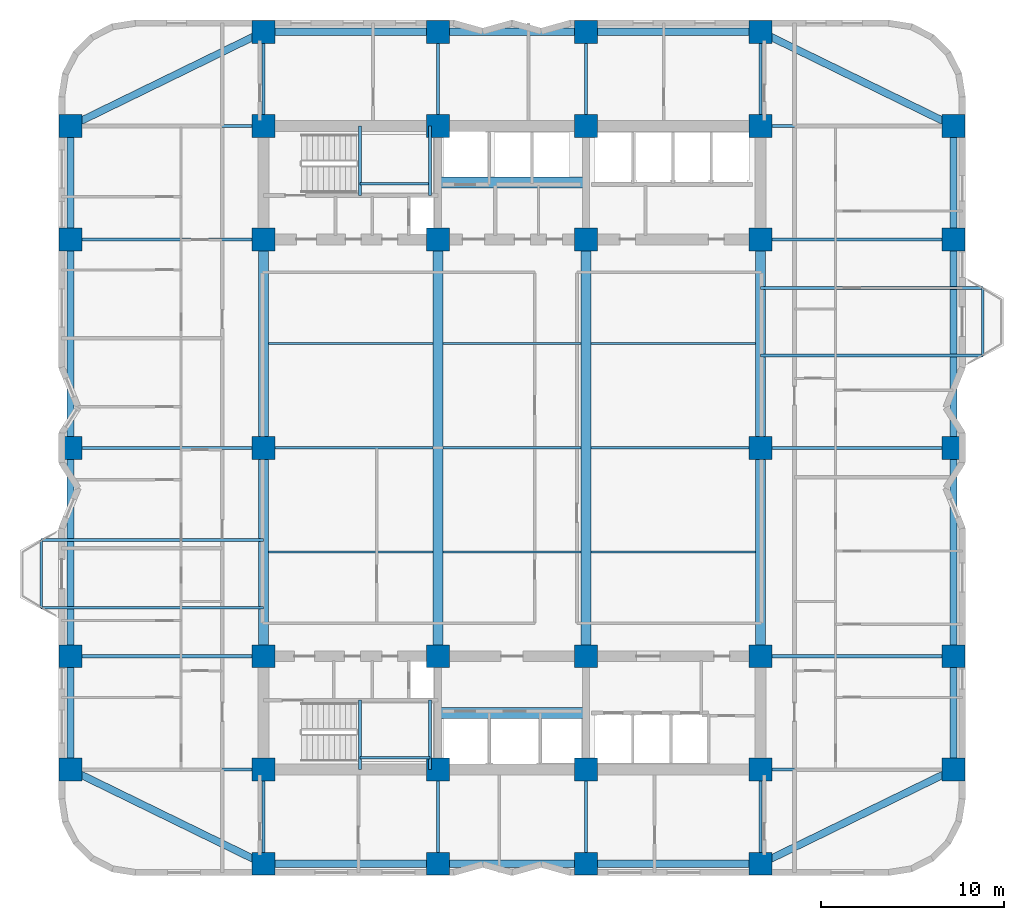
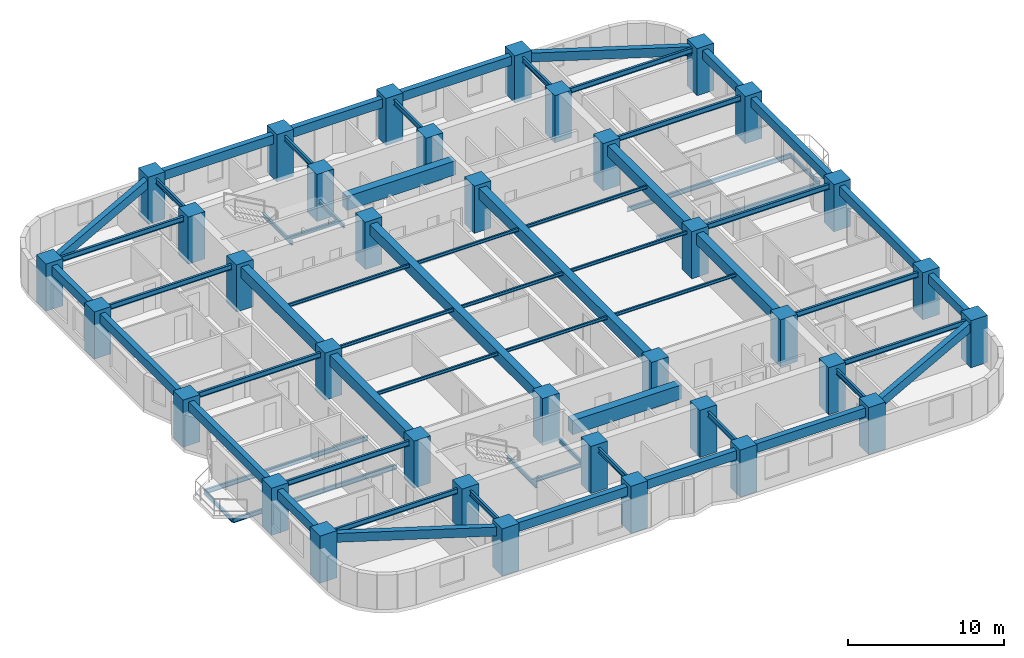
# One storey, part 1 of 10: 65 beams, 36 columns.
"""IFC4 building model written with IfcOpenShell, lengths in metres."""

import ifcopenshell
import ifcopenshell.guid

model = None  # the IFC model being written
_history = None  # IfcOwnerHistory: only IFC2X3 demands one
_inside = {}  # id of a spatial element -> (the spatial element, [elements in it])
_under = {}  # id of a project, library or spatial element -> (it, [spatial elements below it])
_declared = {}  # id of a project -> (the project, [libraries it declares])
_typed = {}  # id of a type object -> (the type object, [elements of that type])
_made_of = {}  # id of a material, layer set ... -> (it, [elements and type objects made of it])


def new_model(schema):
    """Start an empty IFC model of exactly this schema.

    Asked for "IFC4X3", IfcOpenShell would pick the latest addendum, in which some entities
    have other attributes; the version numbers below select the first issue.
    IFC2X3 requires an IfcOwnerHistory on every rooted entity: one is made here for all.
    """
    global model, _history
    if schema == "IFC4X3":
        model = ifcopenshell.file(schema_version=(4, 3, 0, 0))
    else:
        model = ifcopenshell.file(schema=schema)
    _inside.clear()
    _under.clear()
    _declared.clear()
    _typed.clear()
    _made_of.clear()
    _history = None
    if model.schema == "IFC2X3":
        org = make("IfcOrganization", Name="unknown")
        user = make(
            "IfcPersonAndOrganization",
            ThePerson=make("IfcPerson", FamilyName="unknown"),
            TheOrganization=org,
        )
        app = make(
            "IfcApplication",
            ApplicationDeveloper=org,
            Version="unknown",
            ApplicationFullName="unknown",
            ApplicationIdentifier="unknown",
        )
        _history = make(
            "IfcOwnerHistory",
            OwningUser=user,
            OwningApplication=app,
            ChangeAction="ADDED",
            CreationDate=0,
        )
    return model


def make(cls, **values):
    """One entity of the class cls with the attributes given. An attribute that is None is left unset."""
    return model.create_entity(
        cls, **{name: value for name, value in values.items() if value is not None}
    )


def rooted(cls, **values):
    """An entity with a GlobalId (a new one), such as an element, a storey or a relation."""
    return make(cls, GlobalId=ifcopenshell.guid.new(), OwnerHistory=_history, **values)


def si_unit(unit_type, name, prefix=None):
    """IfcSIUnit, for example si_unit("LENGTHUNIT", "METRE", prefix="MILLI")."""
    return make("IfcSIUnit", UnitType=unit_type, Prefix=prefix, Name=name)


def assignment(units):
    """IfcUnitAssignment: the units of a project."""
    return None if units is None else make("IfcUnitAssignment", Units=units)


def point(xyz):
    """IfcCartesianPoint."""
    return None if xyz is None else make("IfcCartesianPoint", Coordinates=xyz)


def direction(xyz):
    """IfcDirection."""
    return None if xyz is None else make("IfcDirection", DirectionRatios=xyz)


def frame(location, z_axis=None, x_axis=None):
    """IfcAxis2Placement3D, a coordinate frame: its origin and axes. An axis left out is left unset."""
    return make(
        "IfcAxis2Placement3D",
        Location=point(location),
        Axis=direction(z_axis),
        RefDirection=direction(x_axis),
    )


def frame_2d(location, x_axis=None):
    """IfcAxis2Placement2D, a coordinate frame in the plane: its origin and x axis."""
    return make(
        "IfcAxis2Placement2D", Location=point(location), RefDirection=direction(x_axis)
    )


def origin():
    """The frame at (0, 0, 0) with its axes left unset."""
    return frame((0.0, 0.0, 0.0))


def origin_2d():
    """The frame at (0, 0) in the plane with its x axis left unset."""
    return frame_2d((0.0, 0.0))


def place(relative_to, where):
    """IfcLocalPlacement: puts the frame where relative to a parent placement (None: the world)."""
    return make(
        "IfcLocalPlacement", PlacementRelTo=relative_to, RelativePlacement=where
    )


def context(
    kind, dimensions, precision=None, world=None, true_north=None, identifier=None
):
    """IfcGeometricRepresentationContext, for example the 3D "Model" context."""
    return make(
        "IfcGeometricRepresentationContext",
        ContextIdentifier=identifier,
        ContextType=kind,
        CoordinateSpaceDimension=dimensions,
        Precision=precision,
        WorldCoordinateSystem=world,
        TrueNorth=true_north,
    )


def subcontext(parent, identifier, kind, view, scale=None):
    """IfcGeometricRepresentationSubContext, for example "Body" below "Model"."""
    return make(
        "IfcGeometricRepresentationSubContext",
        ContextIdentifier=identifier,
        ContextType=kind,
        ParentContext=parent,
        TargetScale=scale,
        TargetView=view,
    )


def project(units=None, contexts=None):
    """IfcProject with its units and contexts."""
    return rooted(
        "IfcProject",
        Name="project",
        RepresentationContexts=contexts,
        UnitsInContext=assignment(units),
    )


def spatial(cls, under=None, at=None, **own):
    """A site, building, storey or space (cls), placed at a placement, below another one or the project."""
    s = rooted(cls, ObjectPlacement=at, **own)
    if under is not None:
        _under.setdefault(under.id(), (under, []))[1].append(s)
    return s


def profile(cls, at=None, kind="AREA", **sizes):
    """A parametric profile (cls). Its sizes go by their IFC names, for example OverallWidth=200.0."""
    return make(cls, ProfileType=kind, Position=at, **sizes)


def rectangle(**sizes):
    """IfcRectangleProfileDef."""
    return profile("IfcRectangleProfileDef", **sizes)


def i_section(**sizes):
    """IfcIShapeProfileDef."""
    return profile("IfcIShapeProfileDef", **sizes)


def extrude(swept, where, along, depth):
    """IfcExtrudedAreaSolid: the profile swept, set in the frame where, extruded along a direction by depth."""
    return make(
        "IfcExtrudedAreaSolid",
        SweptArea=swept,
        Position=where,
        ExtrudedDirection=direction(along),
        Depth=depth,
    )


def shape(context_of_items, identifier, shape_type, items):
    """IfcShapeRepresentation: the items that make up one representation, for example the "Body"."""
    return make(
        "IfcShapeRepresentation",
        ContextOfItems=context_of_items,
        RepresentationIdentifier=identifier,
        RepresentationType=shape_type,
        Items=items,
    )


def material(Name=None, Category=None):
    """IfcMaterial."""
    return make("IfcMaterial", Name=Name, Category=Category)


def material_profile(
    of_material, cross_section, Name=None, Category=None, Priority=None
):
    """IfcMaterialProfile: a cross section and its material."""
    return make(
        "IfcMaterialProfile",
        Name=Name,
        Material=of_material,
        Profile=cross_section,
        Priority=Priority,
        Category=Category,
    )


def profile_set(profiles, Name=None, composite=None):
    """IfcMaterialProfileSet."""
    return make(
        "IfcMaterialProfileSet",
        Name=Name,
        MaterialProfiles=profiles,
        CompositeProfile=composite,
    )


def made_of(thing, what):
    """Note that an element or type object is made of a material, layer set ...; save() writes the relation."""
    if what is not None:
        _made_of.setdefault(what.id(), (what, []))[1].append(thing)
    return thing


def type_object(cls, material=None, **own):
    """A type object (cls), such as IfcWallType, which elements share."""
    return made_of(rooted(cls, **own), material)


def element(
    cls,
    number,
    at=None,
    inside=None,
    cuts=None,
    type_object=None,
    material=None,
    context=None,
    identifier="Body",
    shape_type=None,
    held_by="IfcProductDefinitionShape",
    body=None,
    shapes=None,
    **own,
):
    """One element of the class cls, such as IfcWall. Its Tag is "e" and its number.

    at: its placement. inside: the storey or other place that contains it. cuts: it is an
    opening in that element (IfcRelVoidsElement). A single representation is given by context,
    identifier, shape_type and body (its items); several are given by shapes. held_by: the class
    of the entity that holds the representations. save() writes the other relations.
    """
    e = rooted(cls, Tag="e%d" % number, ObjectPlacement=at, **own)
    if body is not None:
        shapes = [shape(context, identifier, shape_type, body)]
    if shapes is not None:
        e.Representation = make(held_by, Representations=shapes)
    if inside is not None:
        _inside.setdefault(inside.id(), (inside, []))[1].append(e)
    if cuts is not None:
        rooted(
            "IfcRelVoidsElement", RelatingBuildingElement=cuts, RelatedOpeningElement=e
        )
    if type_object is not None:
        _typed.setdefault(type_object.id(), (type_object, []))[1].append(e)
    return made_of(e, material)


def aggregate(whole, parts):
    """IfcRelAggregates: a whole, such as a stair, and the parts it consists of."""
    return rooted("IfcRelAggregates", RelatingObject=whole, RelatedObjects=parts)


def save(model, path):
    """Write the relations noted so far, then the file.

    IfcRelAggregates (storeys below a building ...), IfcRelContainedInSpatialStructure (elements
    in a storey), IfcRelDefinesByType, IfcRelAssociatesMaterial and IfcRelDeclares: one each for
    every whole, place, type object, material and project.
    """
    for whole, parts in _under.values():
        aggregate(whole, parts)
    for where, things in _inside.values():
        rooted(
            "IfcRelContainedInSpatialStructure",
            RelatedElements=things,
            RelatingStructure=where,
        )
    for kind, things in _typed.values():
        rooted("IfcRelDefinesByType", RelatedObjects=things, RelatingType=kind)
    for what, things in _made_of.values():
        rooted("IfcRelAssociatesMaterial", RelatedObjects=things, RelatingMaterial=what)
    for by, libraries in _declared.values():
        rooted("IfcRelDeclares", RelatingContext=by, RelatedDefinitions=libraries)
    model.write(path)


model = new_model("IFC4")

# Units and contexts
model_context = context("Model", 3, precision=1e-05, world=origin(), true_north=direction((0.0, 1.0)))
body_context = subcontext(model_context, "Body", "Model", "MODEL_VIEW")
ifc_project = project(units=[si_unit("LENGTHUNIT", "METRE"), si_unit("AREAUNIT", "SQUARE_METRE"), si_unit("VOLUMEUNIT", "CUBIC_METRE"), si_unit("PLANEANGLEUNIT", "RADIAN"), si_unit("MASSUNIT", "GRAM", prefix="KILO")], contexts=[model_context])

# Site, building, storey
site_placement = place(None, origin())
site = spatial("IfcSite", under=ifc_project, at=site_placement, CompositionType="ELEMENT")
building_placement = place(site_placement, origin())
building = spatial("IfcBuilding", under=site, at=building_placement, Name="Svetorya Sky Lyceum", CompositionType="ELEMENT")
storey_placement = place(building_placement, frame((0.0, 0.0, 43.60009765625)))
storey = spatial("IfcBuildingStorey", under=building, at=storey_placement, Name="L10", CompositionType="ELEMENT", Elevation=43.60009765625)

# Columns
ifc_material_1 = material(Name="Concrete C60/75", Category="concrete")
ifc_material_profile_1 = material_profile(ifc_material_1, rectangle(XDim=1.25, YDim=1.25, at=origin_2d()), Name="RC COL 1250x1250")
ifc_profile_set_1 = profile_set([ifc_material_profile_1], Name="Concrete C60/75")
column_type = type_object("IfcColumnType", Name="COL-RC-1250", PredefinedType="COLUMN", material=ifc_profile_set_1)
for number, where, z_axis, x_axis, name in (
    (1, (25.60009765625, 10.60009765625, 0.0), (0.0, 0.0, 1.0), (1.0, 0.0, 0.0), "L10 Core Column CS-11"),
    (2, (25.60009765625, 16.800048828125, 0.0), (0.0, 0.0, 1.0), (1.0, 0.0, 0.0), "L10 Core Column CS-12"),
    (3, (35.14990234375, 10.60009765625, 0.0), (0.0, 0.0, 1.0), (1.0, 0.0, 0.0), "L10 Core Column CS-21"),
    (4, (35.14990234375, 16.800048828125, 0.0), (0.0, 0.0, 1.0), (1.0, 0.0, 0.0), "L10 Core Column CS-22"),
    (5, (43.25, 10.60009765625, 0.0), (0.0, 0.0, 1.0), (1.0, 0.0, 0.0), "L10 Core Column CS-31"),
    (6, (43.25, 16.800048828125, 0.0), (0.0, 0.0, 1.0), (1.0, 0.0, 0.0), "L10 Core Column CS-32"),
    (7, (52.800048828125, 10.60009765625, 0.0), (0.0, 0.0, 1.0), (1.0, 0.0, 0.0), "L10 Core Column CS-41"),
    (8, (52.800048828125, 16.800048828125, 0.0), (0.0, 0.0, 1.0), (1.0, 0.0, 0.0), "L10 Core Column CS-42"),
    (9, (25.60009765625, 39.60009765625, 0.0), (0.0, 0.0, 1.0), (1.0, 0.0, 0.0), "L10 Core Column CN-11"),
    (10, (25.60009765625, 45.800048828125, 0.0), (0.0, 0.0, 1.0), (1.0, 0.0, 0.0), "L10 Core Column CN-12"),
    (11, (35.14990234375, 39.60009765625, 0.0), (0.0, 0.0, 1.0), (1.0, 0.0, 0.0), "L10 Core Column CN-21"),
    (12, (35.14990234375, 45.800048828125, 0.0), (0.0, 0.0, 1.0), (1.0, 0.0, 0.0), "L10 Core Column CN-22"),
    (13, (43.25, 39.60009765625, 0.0), (0.0, 0.0, 1.0), (1.0, 0.0, 0.0), "L10 Core Column CN-31"),
    (14, (43.25, 45.800048828125, 0.0), (0.0, 0.0, 1.0), (1.0, 0.0, 0.0), "L10 Core Column CN-32"),
    (15, (52.800048828125, 39.60009765625, 0.0), (0.0, 0.0, 1.0), (1.0, 0.0, 0.0), "L10 Core Column CN-41"),
    (16, (52.800048828125, 45.800048828125, 0.0), (0.0, 0.0, 1.0), (1.0, 0.0, 0.0), "L10 Core Column CN-42"),
    (17, (25.60009765625, 28.199951171875, 0.0), (0.0, 0.0, 1.0), (1.0, 0.0, 0.0), "L10 Core Column CM-W"),
    (18, (52.800048828125, 28.199951171875, 0.0), (0.0, 0.0, 1.0), (1.0, 0.0, 0.0), "L10 Core Column CM-E"),
    (19, (25.60009765625, 5.449951171875, 0.0), (0.0, 0.0, 1.0), (1.0, 0.0, 0.0), "L10 Perimeter Column S1"),
    (20, (25.60009765625, 50.949951171875, 0.0), (0.0, 0.0, 1.0), (1.0, 0.0, 0.0), "L10 Perimeter Column N1"),
    (21, (35.14990234375, 5.449951171875, 0.0), (0.0, 0.0, 1.0), (1.0, 0.0, 0.0), "L10 Perimeter Column S2"),
    (22, (35.14990234375, 50.949951171875, 0.0), (0.0, 0.0, 1.0), (1.0, 0.0, 0.0), "L10 Perimeter Column N2"),
    (23, (43.25, 5.449951171875, 0.0), (0.0, 0.0, 1.0), (1.0, 0.0, 0.0), "L10 Perimeter Column S3"),
    (24, (43.25, 50.949951171875, 0.0), (0.0, 0.0, 1.0), (1.0, 0.0, 0.0), "L10 Perimeter Column N3"),
    (25, (52.800048828125, 5.449951171875, 0.0), (0.0, 0.0, 1.0), (1.0, 0.0, 0.0), "L10 Perimeter Column S4"),
    (26, (52.800048828125, 50.949951171875, 0.0), (0.0, 0.0, 1.0), (1.0, 0.0, 0.0), "L10 Perimeter Column N4"),
    (27, (15.050048828125, 10.60009765625, 0.0), (0.0, 0.0, 1.0), (1.0, 0.0, 0.0), "L10 Perimeter Column W1"),
    (28, (63.35009765625, 10.60009765625, 0.0), (0.0, 0.0, 1.0), (1.0, 0.0, 0.0), "L10 Perimeter Column E1"),
    (29, (15.050048828125, 16.800048828125, 0.0), (0.0, 0.0, 1.0), (1.0, 0.0, 0.0), "L10 Perimeter Column W2"),
    (30, (63.35009765625, 16.800048828125, 0.0), (0.0, 0.0, 1.0), (1.0, 0.0, 0.0), "L10 Perimeter Column E2"),
    (31, (15.050048828125, 28.199951171875, 0.0), (0.0, 0.0, 1.0), (1.0, 0.0, 0.0), "L10 Perimeter Column W3"),
    (32, (63.35009765625, 28.199951171875, 0.0), (0.0, 0.0, 1.0), (1.0, 0.0, 0.0), "L10 Perimeter Column E3"),
    (33, (15.050048828125, 39.60009765625, 0.0), (0.0, 0.0, 1.0), (1.0, 0.0, 0.0), "L10 Perimeter Column W4"),
    (34, (63.35009765625, 39.60009765625, 0.0), (0.0, 0.0, 1.0), (1.0, 0.0, 0.0), "L10 Perimeter Column E4"),
    (35, (15.050048828125, 45.800048828125, 0.0), (0.0, 0.0, 1.0), (1.0, 0.0, 0.0), "L10 Perimeter Column W5"),
    (36, (63.35009765625, 45.800048828125, 0.0), (0.0, 0.0, 1.0), (1.0, 0.0, 0.0), "L10 Perimeter Column E5"),
):
    element("IfcColumn", number, at=place(storey_placement, frame(where, z_axis=z_axis, x_axis=x_axis)), inside=storey, type_object=column_type, Name=name, PredefinedType="COLUMN", context=body_context, shape_type="SweptSolid", body=[
        extrude(rectangle(XDim=1.25, YDim=1.25, at=origin_2d()), origin(), (0.0, 0.0, 1.0), 3.699951171875),
    ])

# Beams
ifc_material_profile_2 = material_profile(ifc_material_1, rectangle(XDim=0.60009765625, YDim=1.10009765625, at=origin_2d()), Name="RC COUPLING 600x1100")
ifc_profile_set_2 = profile_set([ifc_material_profile_2], Name="Concrete C60/75")
beam_type_1 = type_object("IfcBeamType", Name="BM-CPL-1100", PredefinedType="LINTEL", material=ifc_profile_set_2)
for number, where, z_axis, x_axis, name in (
    (37, (35.14990234375, 13.699951171875, 2.869873046875), (1.0, 0.0, 0.0), (0.0, 1.0, 0.0), "L10 SC Core Coupling Beam"),
    (38, (35.14990234375, 42.699951171875, 2.869873046875), (1.0, 0.0, 0.0), (0.0, 1.0, 0.0), "L10 NC Core Coupling Beam"),
):
    element("IfcBeam", number, at=place(storey_placement, frame(where, z_axis=z_axis, x_axis=x_axis)), inside=storey, type_object=beam_type_1, Name=name, PredefinedType="LINTEL", context=body_context, shape_type="SweptSolid", body=[
        extrude(rectangle(XDim=0.60009765625, YDim=1.10009765625, at=origin_2d()), origin(), (0.0, 0.0, 1.0), 8.10009765625),
    ])
ifc_material_2 = material(Name="Concrete C50/60", Category="concrete")
ifc_material_profile_3 = material_profile(ifc_material_2, rectangle(XDim=0.550048828125, YDim=0.85009765625, at=origin_2d()), Name="RC BEAM 550x850")
ifc_profile_set_3 = profile_set([ifc_material_profile_3], Name="Concrete C50/60")
beam_type_2 = type_object("IfcBeamType", Name="BM-RC-850", PredefinedType="BEAM", material=ifc_profile_set_3)
beam_1_placement = place(storey_placement, frame((25.60009765625, 16.800048828125, 2.994873046875), z_axis=(0.0, 1.0, 0.0), x_axis=(-1.0, 0.0, 0.0)))
element("IfcBeam", 39, at=beam_1_placement, inside=storey, type_object=beam_type_2, Name="L10 Central Bay Primary Girder CG-1A", PredefinedType="BEAM", context=body_context, shape_type="SweptSolid", body=[
    extrude(rectangle(XDim=0.550048828125, YDim=0.85009765625, at=origin_2d()), origin(), (0.0, 0.0, 1.0), 11.39990234375),
])
beam_2_placement = place(storey_placement, frame((25.60009765625, 28.199951171875, 2.994873046875), z_axis=(0.0, 1.0, 0.0), x_axis=(-1.0, 0.0, 0.0)))
element("IfcBeam", 40, at=beam_2_placement, inside=storey, type_object=beam_type_2, Name="L10 Central Bay Primary Girder CG-1B", PredefinedType="BEAM", context=body_context, shape_type="SweptSolid", body=[
    extrude(rectangle(XDim=0.550048828125, YDim=0.85009765625, at=origin_2d()), origin(), (0.0, 0.0, 1.0), 11.400146484375),
])
for number, where, z_axis, x_axis, name in (
    (41, (35.14990234375, 16.800048828125, 2.994873046875), (0.0, 1.0, 0.0), (-1.0, 0.0, 0.0), "L10 Central Bay Primary Girder CG-2"),
    (42, (43.25, 16.800048828125, 2.994873046875), (0.0, 1.0, 0.0), (-1.0, 0.0, 0.0), "L10 Central Bay Primary Girder CG-3"),
):
    element("IfcBeam", number, at=place(storey_placement, frame(where, z_axis=z_axis, x_axis=x_axis)), inside=storey, type_object=beam_type_2, Name=name, PredefinedType="BEAM", context=body_context, shape_type="SweptSolid", body=[
        extrude(rectangle(XDim=0.550048828125, YDim=0.85009765625, at=origin_2d()), origin(), (0.0, 0.0, 1.0), 22.800048828125),
    ])
beam_3_placement = place(storey_placement, frame((52.800048828125, 16.800048828125, 2.994873046875), z_axis=(0.0, 1.0, 0.0), x_axis=(-1.0, 0.0, 0.0)))
element("IfcBeam", 43, at=beam_3_placement, inside=storey, type_object=beam_type_2, Name="L10 Central Bay Primary Girder CG-4A", PredefinedType="BEAM", context=body_context, shape_type="SweptSolid", body=[
    extrude(rectangle(XDim=0.550048828125, YDim=0.85009765625, at=origin_2d()), origin(), (0.0, 0.0, 1.0), 11.39990234375),
])
beam_4_placement = place(storey_placement, frame((52.800048828125, 28.199951171875, 2.994873046875), z_axis=(0.0, 1.0, 0.0), x_axis=(-1.0, 0.0, 0.0)))
element("IfcBeam", 44, at=beam_4_placement, inside=storey, type_object=beam_type_2, Name="L10 Central Bay Primary Girder CG-4B", PredefinedType="BEAM", context=body_context, shape_type="SweptSolid", body=[
    extrude(rectangle(XDim=0.550048828125, YDim=0.85009765625, at=origin_2d()), origin(), (0.0, 0.0, 1.0), 11.400146484375),
])
ifc_material_profile_4 = material_profile(ifc_material_2, rectangle(XDim=0.39990234375, YDim=0.699951171875, at=origin_2d()), Name="RC SPANDREL 400x700")
ifc_profile_set_4 = profile_set([ifc_material_profile_4], Name="Concrete C50/60")
beam_type_3 = type_object("IfcBeamType", Name="BM-SPN-700", PredefinedType="SPANDREL", material=ifc_profile_set_4)
beam_5_placement = place(storey_placement, frame((25.60009765625, 5.449951171875, 3.06982421875), z_axis=(1.0, 0.0, 0.0), x_axis=(0.0, 1.0, 0.0)))
element("IfcBeam", 45, at=beam_5_placement, inside=storey, type_object=beam_type_3, Name="L10 South Spandrel 1", PredefinedType="SPANDREL", context=body_context, shape_type="SweptSolid", body=[
    extrude(rectangle(XDim=0.39990234375, YDim=0.699951171875, at=origin_2d()), origin(), (0.0, 0.0, 1.0), 9.5498046875),
])
beam_6_placement = place(storey_placement, frame((35.14990234375, 5.449951171875, 3.06982421875), z_axis=(1.0, 0.0, 0.0), x_axis=(0.0, 1.0, 0.0)))
element("IfcBeam", 46, at=beam_6_placement, inside=storey, type_object=beam_type_3, Name="L10 South Spandrel 2", PredefinedType="SPANDREL", context=body_context, shape_type="SweptSolid", body=[
    extrude(rectangle(XDim=0.39990234375, YDim=0.699951171875, at=origin_2d()), origin(), (0.0, 0.0, 1.0), 8.10009765625),
])
beam_7_placement = place(storey_placement, frame((43.25, 5.449951171875, 3.06982421875), z_axis=(1.0, 0.0, 0.0), x_axis=(0.0, 1.0, 0.0)))
element("IfcBeam", 47, at=beam_7_placement, inside=storey, type_object=beam_type_3, Name="L10 South Spandrel 3", PredefinedType="SPANDREL", context=body_context, shape_type="SweptSolid", body=[
    extrude(rectangle(XDim=0.39990234375, YDim=0.699951171875, at=origin_2d()), origin(), (0.0, 0.0, 1.0), 9.550048828125),
])
beam_8_placement = place(storey_placement, frame((25.60009765625, 50.949951171875, 3.06982421875), z_axis=(1.0, 0.0, 0.0), x_axis=(0.0, 1.0, 0.0)))
element("IfcBeam", 48, at=beam_8_placement, inside=storey, type_object=beam_type_3, Name="L10 North Spandrel 1", PredefinedType="SPANDREL", context=body_context, shape_type="SweptSolid", body=[
    extrude(rectangle(XDim=0.39990234375, YDim=0.699951171875, at=origin_2d()), origin(), (0.0, 0.0, 1.0), 9.5498046875),
])
beam_9_placement = place(storey_placement, frame((35.14990234375, 50.949951171875, 3.06982421875), z_axis=(1.0, 0.0, 0.0), x_axis=(0.0, 1.0, 0.0)))
element("IfcBeam", 49, at=beam_9_placement, inside=storey, type_object=beam_type_3, Name="L10 North Spandrel 2", PredefinedType="SPANDREL", context=body_context, shape_type="SweptSolid", body=[
    extrude(rectangle(XDim=0.39990234375, YDim=0.699951171875, at=origin_2d()), origin(), (0.0, 0.0, 1.0), 8.10009765625),
])
beam_10_placement = place(storey_placement, frame((43.25, 50.949951171875, 3.06982421875), z_axis=(1.0, 0.0, 0.0), x_axis=(0.0, 1.0, 0.0)))
element("IfcBeam", 50, at=beam_10_placement, inside=storey, type_object=beam_type_3, Name="L10 North Spandrel 3", PredefinedType="SPANDREL", context=body_context, shape_type="SweptSolid", body=[
    extrude(rectangle(XDim=0.39990234375, YDim=0.699951171875, at=origin_2d()), origin(), (0.0, 0.0, 1.0), 9.550048828125),
])
for number, where, z_axis, x_axis, name in (
    (51, (25.60009765625, 5.449951171875, 3.06982421875), (-0.898641495694, 0.438683783854, 0.0), (-0.438683783854, -0.898641495694, 0.0), "L10 Corner Spandrel 1"),
    (52, (52.800048828125, 5.449951171875, 3.06982421875), (0.898641495694, 0.438683783854, 0.0), (-0.438683783854, 0.898641495694, 0.0), "L10 Corner Spandrel 2"),
    (53, (63.35009765625, 45.800048828125, 3.06982421875), (-0.898649693653, 0.438666989978, 0.0), (-0.438666989978, -0.898649693653, 0.0), "L10 Corner Spandrel 3"),
    (54, (15.050048828125, 45.800048828125, 3.06982421875), (0.898649693653, 0.438666989978, 0.0), (-0.438666989978, 0.898649693653, 0.0), "L10 Corner Spandrel 4"),
):
    element("IfcBeam", number, at=place(storey_placement, frame(where, z_axis=z_axis, x_axis=x_axis)), inside=storey, type_object=beam_type_3, Name=name, PredefinedType="SPANDREL", context=body_context, shape_type="SweptSolid", body=[
        extrude(rectangle(XDim=0.39990234375, YDim=0.699951171875, at=origin_2d()), origin(), (0.0, 0.0, 1.0), 11.739990234375),
    ])
beam_11_placement = place(storey_placement, frame((15.050048828125, 10.60009765625, 3.06982421875), z_axis=(0.0, 1.0, 0.0), x_axis=(-1.0, 0.0, 0.0)))
element("IfcBeam", 55, at=beam_11_placement, inside=storey, type_object=beam_type_3, Name="L10 West Spandrel 1", PredefinedType="SPANDREL", context=body_context, shape_type="SweptSolid", body=[
    extrude(rectangle(XDim=0.39990234375, YDim=0.699951171875, at=origin_2d()), origin(), (0.0, 0.0, 1.0), 6.199951171875),
])
beam_12_placement = place(storey_placement, frame((15.050048828125, 16.800048828125, 3.06982421875), z_axis=(0.0, 1.0, 0.0), x_axis=(-1.0, 0.0, 0.0)))
element("IfcBeam", 56, at=beam_12_placement, inside=storey, type_object=beam_type_3, Name="L10 West Spandrel 2", PredefinedType="SPANDREL", context=body_context, shape_type="SweptSolid", body=[
    extrude(rectangle(XDim=0.39990234375, YDim=0.699951171875, at=origin_2d()), origin(), (0.0, 0.0, 1.0), 11.39990234375),
])
beam_13_placement = place(storey_placement, frame((15.050048828125, 28.199951171875, 3.06982421875), z_axis=(0.0, 1.0, 0.0), x_axis=(-1.0, 0.0, 0.0)))
element("IfcBeam", 57, at=beam_13_placement, inside=storey, type_object=beam_type_3, Name="L10 West Spandrel 3", PredefinedType="SPANDREL", context=body_context, shape_type="SweptSolid", body=[
    extrude(rectangle(XDim=0.39990234375, YDim=0.699951171875, at=origin_2d()), origin(), (0.0, 0.0, 1.0), 11.400146484375),
])
for number, where, z_axis, x_axis, name in (
    (58, (15.050048828125, 39.60009765625, 3.06982421875), (0.0, 1.0, 0.0), (-1.0, 0.0, 0.0), "L10 West Spandrel 4"),
    (59, (63.35009765625, 10.60009765625, 3.06982421875), (0.0, 1.0, 0.0), (-1.0, 0.0, 0.0), "L10 East Spandrel 1"),
):
    element("IfcBeam", number, at=place(storey_placement, frame(where, z_axis=z_axis, x_axis=x_axis)), inside=storey, type_object=beam_type_3, Name=name, PredefinedType="SPANDREL", context=body_context, shape_type="SweptSolid", body=[
        extrude(rectangle(XDim=0.39990234375, YDim=0.699951171875, at=origin_2d()), origin(), (0.0, 0.0, 1.0), 6.199951171875),
    ])
beam_14_placement = place(storey_placement, frame((63.35009765625, 16.800048828125, 3.06982421875), z_axis=(0.0, 1.0, 0.0), x_axis=(-1.0, 0.0, 0.0)))
element("IfcBeam", 60, at=beam_14_placement, inside=storey, type_object=beam_type_3, Name="L10 East Spandrel 2", PredefinedType="SPANDREL", context=body_context, shape_type="SweptSolid", body=[
    extrude(rectangle(XDim=0.39990234375, YDim=0.699951171875, at=origin_2d()), origin(), (0.0, 0.0, 1.0), 11.39990234375),
])
beam_15_placement = place(storey_placement, frame((63.35009765625, 28.199951171875, 3.06982421875), z_axis=(0.0, 1.0, 0.0), x_axis=(-1.0, 0.0, 0.0)))
element("IfcBeam", 61, at=beam_15_placement, inside=storey, type_object=beam_type_3, Name="L10 East Spandrel 3", PredefinedType="SPANDREL", context=body_context, shape_type="SweptSolid", body=[
    extrude(rectangle(XDim=0.39990234375, YDim=0.699951171875, at=origin_2d()), origin(), (0.0, 0.0, 1.0), 11.400146484375),
])
beam_16_placement = place(storey_placement, frame((63.35009765625, 39.60009765625, 3.06982421875), z_axis=(0.0, 1.0, 0.0), x_axis=(-1.0, 0.0, 0.0)))
element("IfcBeam", 62, at=beam_16_placement, inside=storey, type_object=beam_type_3, Name="L10 East Spandrel 4", PredefinedType="SPANDREL", context=body_context, shape_type="SweptSolid", body=[
    extrude(rectangle(XDim=0.39990234375, YDim=0.699951171875, at=origin_2d()), origin(), (0.0, 0.0, 1.0), 6.199951171875),
])
ifc_material_3 = material(Name="Steel S355", Category="steel")
ifc_material_profile_5 = material_profile(ifc_material_3, i_section(OverallWidth=0.1240234375, OverallDepth=0.248046875, WebThickness=0.006103515625, FlangeThickness=0.009521484375, at=origin_2d()), Name="GOST 25B2")
ifc_profile_set_5 = profile_set([ifc_material_profile_5], Name="Steel S355")
beam_type_4 = type_object("IfcBeamType", Name="BM-STL-25B2", PredefinedType="JOIST", material=ifc_profile_set_5)
beam_17_placement = place(storey_placement, frame((25.875, 22.5, 3.2958984375), z_axis=(1.0, 0.0, 0.0), x_axis=(0.0, 1.0, 0.0)))
element("IfcBeam", 63, at=beam_17_placement, inside=storey, type_object=beam_type_4, Name="L10 Central Floor Joist CJ-1.1", PredefinedType="JOIST", context=body_context, shape_type="SweptSolid", body=[
    extrude(i_section(OverallWidth=0.1240234375, OverallDepth=0.248046875, WebThickness=0.006103515625, FlangeThickness=0.009521484375, at=origin_2d()), origin(), (0.0, 0.0, 1.0), 9.0),
])
beam_18_placement = place(storey_placement, frame((35.425048828125, 22.5, 3.2958984375), z_axis=(1.0, 0.0, 0.0), x_axis=(0.0, 1.0, 0.0)))
element("IfcBeam", 64, at=beam_18_placement, inside=storey, type_object=beam_type_4, Name="L10 Central Floor Joist CJ-1.2", PredefinedType="JOIST", context=body_context, shape_type="SweptSolid", body=[
    extrude(i_section(OverallWidth=0.1240234375, OverallDepth=0.248046875, WebThickness=0.006103515625, FlangeThickness=0.009521484375, at=origin_2d()), origin(), (0.0, 0.0, 1.0), 7.550048828125),
])
for number, where, z_axis, x_axis, name in (
    (65, (43.52490234375, 22.5, 3.2958984375), (1.0, 0.0, 0.0), (0.0, 1.0, 0.0), "L10 Central Floor Joist CJ-1.3"),
    (66, (25.875, 28.199951171875, 3.2958984375), (1.0, 0.0, 0.0), (0.0, 1.0, 0.0), "L10 Central Floor Joist CJ-2.1"),
):
    element("IfcBeam", number, at=place(storey_placement, frame(where, z_axis=z_axis, x_axis=x_axis)), inside=storey, type_object=beam_type_4, Name=name, PredefinedType="JOIST", context=body_context, shape_type="SweptSolid", body=[
        extrude(i_section(OverallWidth=0.1240234375, OverallDepth=0.248046875, WebThickness=0.006103515625, FlangeThickness=0.009521484375, at=origin_2d()), origin(), (0.0, 0.0, 1.0), 9.0),
    ])
beam_19_placement = place(storey_placement, frame((35.425048828125, 28.199951171875, 3.2958984375), z_axis=(1.0, 0.0, 0.0), x_axis=(0.0, 1.0, 0.0)))
element("IfcBeam", 67, at=beam_19_placement, inside=storey, type_object=beam_type_4, Name="L10 Central Floor Joist CJ-2.2", PredefinedType="JOIST", context=body_context, shape_type="SweptSolid", body=[
    extrude(i_section(OverallWidth=0.1240234375, OverallDepth=0.248046875, WebThickness=0.006103515625, FlangeThickness=0.009521484375, at=origin_2d()), origin(), (0.0, 0.0, 1.0), 7.550048828125),
])
for number, where, z_axis, x_axis, name in (
    (68, (43.52490234375, 28.199951171875, 3.2958984375), (1.0, 0.0, 0.0), (0.0, 1.0, 0.0), "L10 Central Floor Joist CJ-2.3"),
    (69, (25.875, 33.89990234375, 3.2958984375), (1.0, 0.0, 0.0), (0.0, 1.0, 0.0), "L10 Central Floor Joist CJ-3.1"),
):
    element("IfcBeam", number, at=place(storey_placement, frame(where, z_axis=z_axis, x_axis=x_axis)), inside=storey, type_object=beam_type_4, Name=name, PredefinedType="JOIST", context=body_context, shape_type="SweptSolid", body=[
        extrude(i_section(OverallWidth=0.1240234375, OverallDepth=0.248046875, WebThickness=0.006103515625, FlangeThickness=0.009521484375, at=origin_2d()), origin(), (0.0, 0.0, 1.0), 9.0),
    ])
beam_20_placement = place(storey_placement, frame((35.425048828125, 33.89990234375, 3.2958984375), z_axis=(1.0, 0.0, 0.0), x_axis=(0.0, 1.0, 0.0)))
element("IfcBeam", 70, at=beam_20_placement, inside=storey, type_object=beam_type_4, Name="L10 Central Floor Joist CJ-3.2", PredefinedType="JOIST", context=body_context, shape_type="SweptSolid", body=[
    extrude(i_section(OverallWidth=0.1240234375, OverallDepth=0.248046875, WebThickness=0.006103515625, FlangeThickness=0.009521484375, at=origin_2d()), origin(), (0.0, 0.0, 1.0), 7.550048828125),
])
beam_21_placement = place(storey_placement, frame((43.52490234375, 33.89990234375, 3.2958984375), z_axis=(1.0, 0.0, 0.0), x_axis=(0.0, 1.0, 0.0)))
element("IfcBeam", 71, at=beam_21_placement, inside=storey, type_object=beam_type_4, Name="L10 Central Floor Joist CJ-3.3", PredefinedType="JOIST", context=body_context, shape_type="SweptSolid", body=[
    extrude(i_section(OverallWidth=0.1240234375, OverallDepth=0.248046875, WebThickness=0.006103515625, FlangeThickness=0.009521484375, at=origin_2d()), origin(), (0.0, 0.0, 1.0), 9.0),
])
ifc_material_profile_6 = material_profile(ifc_material_3, i_section(OverallWidth=0.14990234375, OverallDepth=0.299072265625, WebThickness=0.006591796875, FlangeThickness=0.010498046875, at=origin_2d()), Name="GOST 30B2")
ifc_profile_set_6 = profile_set([ifc_material_profile_6], Name="Steel S355")
beam_type_5 = type_object("IfcBeamType", Name="BM-STL-30B2", PredefinedType="JOIST", material=ifc_profile_set_6)
for number, where, z_axis, x_axis, name in (
    (72, (13.449951171875, 19.449951171875, -0.45458984375), (0.0, 1.0, 0.0), (-1.0, 0.0, 0.0), "L10 Balcony Edge Tie BAL-W1"),
    (73, (64.949951171875, 33.25, -0.45458984375), (0.0, 1.0, 0.0), (-1.0, 0.0, 0.0), "L10 Balcony Edge Tie BAL-E1"),
):
    element("IfcBeam", number, at=place(storey_placement, frame(where, z_axis=z_axis, x_axis=x_axis)), inside=storey, type_object=beam_type_5, Name=name, PredefinedType="JOIST", context=body_context, shape_type="SweptSolid", body=[
        extrude(i_section(OverallWidth=0.14990234375, OverallDepth=0.299072265625, WebThickness=0.006591796875, FlangeThickness=0.010498046875, at=origin_2d()), origin(), (0.0, 0.0, 1.0), 3.699951171875),
    ])
for number, where, z_axis, x_axis, name in (
    (74, (30.8798828125, 10.60009765625, 1.50048828125), (0.0, 1.0, 0.0), (-1.0, 0.0, 0.0), "L10 Stair ST-S Half-Landing Support Beam 12.1"),
    (75, (34.719970703125, 10.60009765625, 1.50048828125), (0.0, 1.0, 0.0), (-1.0, 0.0, 0.0), "L10 Stair ST-S Half-Landing Support Beam 12.2"),
):
    element("IfcBeam", number, at=place(storey_placement, frame(where, z_axis=z_axis, x_axis=x_axis)), inside=storey, type_object=beam_type_5, Name=name, PredefinedType="JOIST", context=body_context, shape_type="SweptSolid", body=[
        extrude(i_section(OverallWidth=0.14990234375, OverallDepth=0.299072265625, WebThickness=0.006591796875, FlangeThickness=0.010498046875, at=origin_2d()), origin(), (0.0, 0.0, 1.0), 3.7998046875),
    ])
beam_22_placement = place(storey_placement, frame((30.8798828125, 11.25, 1.50048828125), z_axis=(1.0, 0.0, 0.0), x_axis=(0.0, 1.0, 0.0)))
element("IfcBeam", 76, at=beam_22_placement, inside=storey, type_object=beam_type_5, Name="L10 Stair ST-S Half-Landing Cross Tie 12", PredefinedType="JOIST", context=body_context, shape_type="SweptSolid", body=[
    extrude(i_section(OverallWidth=0.14990234375, OverallDepth=0.299072265625, WebThickness=0.006591796875, FlangeThickness=0.010498046875, at=origin_2d()), origin(), (0.0, 0.0, 1.0), 3.840087890625),
])
for number, where, z_axis, x_axis, name in (
    (77, (30.8798828125, 42.0, 1.50048828125), (0.0, 1.0, 0.0), (-1.0, 0.0, 0.0), "L10 Stair ST-N Half-Landing Support Beam 12.1"),
    (78, (34.719970703125, 42.0, 1.50048828125), (0.0, 1.0, 0.0), (-1.0, 0.0, 0.0), "L10 Stair ST-N Half-Landing Support Beam 12.2"),
):
    element("IfcBeam", number, at=place(storey_placement, frame(where, z_axis=z_axis, x_axis=x_axis)), inside=storey, type_object=beam_type_5, Name=name, PredefinedType="JOIST", context=body_context, shape_type="SweptSolid", body=[
        extrude(i_section(OverallWidth=0.14990234375, OverallDepth=0.299072265625, WebThickness=0.006591796875, FlangeThickness=0.010498046875, at=origin_2d()), origin(), (0.0, 0.0, 1.0), 3.800048828125),
    ])
beam_23_placement = place(storey_placement, frame((30.8798828125, 42.64990234375, 1.50048828125), z_axis=(1.0, 0.0, 0.0), x_axis=(0.0, 1.0, 0.0)))
element("IfcBeam", 79, at=beam_23_placement, inside=storey, type_object=beam_type_5, Name="L10 Stair ST-N Half-Landing Cross Tie 12", PredefinedType="JOIST", context=body_context, shape_type="SweptSolid", body=[
    extrude(i_section(OverallWidth=0.14990234375, OverallDepth=0.299072265625, WebThickness=0.006591796875, FlangeThickness=0.010498046875, at=origin_2d()), origin(), (0.0, 0.0, 1.0), 3.840087890625),
])
ifc_material_profile_7 = material_profile(ifc_material_3, i_section(OverallWidth=0.155029296875, OverallDepth=0.34912109375, WebThickness=0.007080078125, FlangeThickness=0.011474609375, at=origin_2d()), Name="GOST 35B2")
ifc_profile_set_7 = profile_set([ifc_material_profile_7], Name="Steel S355")
beam_type_6 = type_object("IfcBeamType", Name="BM-STL-35B2", PredefinedType="JOIST", material=ifc_profile_set_7)
for number, where, z_axis, x_axis, name in (
    (80, (25.60009765625, 19.449951171875, -0.45458984375), (-1.0, 0.0, 0.0), (0.0, -1.0, 0.0), "L10 Balcony Cantilever Beam BAL-W1-1"),
    (81, (25.60009765625, 23.14990234375, -0.45458984375), (-1.0, 0.0, 0.0), (0.0, -1.0, 0.0), "L10 Balcony Cantilever Beam BAL-W1-2"),
):
    element("IfcBeam", number, at=place(storey_placement, frame(where, z_axis=z_axis, x_axis=x_axis)), inside=storey, type_object=beam_type_6, Name=name, PredefinedType="JOIST", context=body_context, shape_type="SweptSolid", body=[
        extrude(i_section(OverallWidth=0.155029296875, OverallDepth=0.34912109375, WebThickness=0.007080078125, FlangeThickness=0.011474609375, at=origin_2d()), origin(), (0.0, 0.0, 1.0), 12.150146484375),
    ])
for number, where, z_axis, x_axis, name in (
    (82, (52.800048828125, 33.25, -0.45458984375), (1.0, 0.0, 0.0), (0.0, 1.0, 0.0), "L10 Balcony Cantilever Beam BAL-E1-1"),
    (83, (52.800048828125, 36.949951171875, -0.45458984375), (1.0, 0.0, 0.0), (0.0, 1.0, 0.0), "L10 Balcony Cantilever Beam BAL-E1-2"),
):
    element("IfcBeam", number, at=place(storey_placement, frame(where, z_axis=z_axis, x_axis=x_axis)), inside=storey, type_object=beam_type_6, Name=name, PredefinedType="JOIST", context=body_context, shape_type="SweptSolid", body=[
        extrude(i_section(OverallWidth=0.155029296875, OverallDepth=0.34912109375, WebThickness=0.007080078125, FlangeThickness=0.011474609375, at=origin_2d()), origin(), (0.0, 0.0, 1.0), 12.14990234375),
    ])
ifc_material_profile_8 = material_profile(ifc_material_3, i_section(OverallWidth=0.1650390625, OverallDepth=0.39990234375, WebThickness=0.008056640625, FlangeThickness=0.012939453125, at=origin_2d()), Name="GOST 40B2")
ifc_profile_set_8 = profile_set([ifc_material_profile_8], Name="Steel S355")
beam_type_7 = type_object("IfcBeamType", Name="BM-STL-40B2", PredefinedType="JOIST", material=ifc_profile_set_8)
for number, where, z_axis, x_axis, name in (
    (84, (15.050048828125, 10.60009765625, 3.219970703125), (1.0, 0.0, 0.0), (0.0, 1.0, 0.0), "L10 West Wing Floor Joist W1"),
    (85, (52.800048828125, 10.60009765625, 3.219970703125), (1.0, 0.0, 0.0), (0.0, 1.0, 0.0), "L10 East Wing Floor Joist E1"),
    (86, (15.050048828125, 16.800048828125, 3.219970703125), (1.0, 0.0, 0.0), (0.0, 1.0, 0.0), "L10 West Wing Floor Joist W2"),
    (87, (52.800048828125, 16.800048828125, 3.219970703125), (1.0, 0.0, 0.0), (0.0, 1.0, 0.0), "L10 East Wing Floor Joist E2"),
    (88, (15.050048828125, 28.199951171875, 3.219970703125), (1.0, 0.0, 0.0), (0.0, 1.0, 0.0), "L10 West Wing Floor Joist W3"),
    (89, (52.800048828125, 28.199951171875, 3.219970703125), (1.0, 0.0, 0.0), (0.0, 1.0, 0.0), "L10 East Wing Floor Joist E3"),
    (90, (15.050048828125, 39.60009765625, 3.219970703125), (1.0, 0.0, 0.0), (0.0, 1.0, 0.0), "L10 West Wing Floor Joist W4"),
    (91, (52.800048828125, 39.60009765625, 3.219970703125), (1.0, 0.0, 0.0), (0.0, 1.0, 0.0), "L10 East Wing Floor Joist E4"),
    (92, (15.050048828125, 45.800048828125, 3.219970703125), (1.0, 0.0, 0.0), (0.0, 1.0, 0.0), "L10 West Wing Floor Joist W5"),
    (93, (52.800048828125, 45.800048828125, 3.219970703125), (1.0, 0.0, 0.0), (0.0, 1.0, 0.0), "L10 East Wing Floor Joist E5"),
):
    element("IfcBeam", number, at=place(storey_placement, frame(where, z_axis=z_axis, x_axis=x_axis)), inside=storey, type_object=beam_type_7, Name=name, PredefinedType="JOIST", context=body_context, shape_type="SweptSolid", body=[
        extrude(i_section(OverallWidth=0.1650390625, OverallDepth=0.39990234375, WebThickness=0.008056640625, FlangeThickness=0.012939453125, at=origin_2d()), origin(), (0.0, 0.0, 1.0), 10.550048828125),
    ])
beam_24_placement = place(storey_placement, frame((25.60009765625, 5.449951171875, 3.219970703125), z_axis=(0.0, 1.0, 0.0), x_axis=(-1.0, 0.0, 0.0)))
element("IfcBeam", 94, at=beam_24_placement, inside=storey, type_object=beam_type_7, Name="L10 South Bay Floor Girder S1", PredefinedType="JOIST", context=body_context, shape_type="SweptSolid", body=[
    extrude(i_section(OverallWidth=0.1650390625, OverallDepth=0.39990234375, WebThickness=0.008056640625, FlangeThickness=0.012939453125, at=origin_2d()), origin(), (0.0, 0.0, 1.0), 5.150146484375),
])
beam_25_placement = place(storey_placement, frame((25.60009765625, 45.800048828125, 3.219970703125), z_axis=(0.0, 1.0, 0.0), x_axis=(-1.0, 0.0, 0.0)))
element("IfcBeam", 95, at=beam_25_placement, inside=storey, type_object=beam_type_7, Name="L10 North Bay Floor Girder N1", PredefinedType="JOIST", context=body_context, shape_type="SweptSolid", body=[
    extrude(i_section(OverallWidth=0.1650390625, OverallDepth=0.39990234375, WebThickness=0.008056640625, FlangeThickness=0.012939453125, at=origin_2d()), origin(), (0.0, 0.0, 1.0), 5.14990234375),
])
beam_26_placement = place(storey_placement, frame((35.14990234375, 5.449951171875, 3.219970703125), z_axis=(0.0, 1.0, 0.0), x_axis=(-1.0, 0.0, 0.0)))
element("IfcBeam", 96, at=beam_26_placement, inside=storey, type_object=beam_type_7, Name="L10 South Bay Floor Girder S2", PredefinedType="JOIST", context=body_context, shape_type="SweptSolid", body=[
    extrude(i_section(OverallWidth=0.1650390625, OverallDepth=0.39990234375, WebThickness=0.008056640625, FlangeThickness=0.012939453125, at=origin_2d()), origin(), (0.0, 0.0, 1.0), 5.150146484375),
])
beam_27_placement = place(storey_placement, frame((35.14990234375, 45.800048828125, 3.219970703125), z_axis=(0.0, 1.0, 0.0), x_axis=(-1.0, 0.0, 0.0)))
element("IfcBeam", 97, at=beam_27_placement, inside=storey, type_object=beam_type_7, Name="L10 North Bay Floor Girder N2", PredefinedType="JOIST", context=body_context, shape_type="SweptSolid", body=[
    extrude(i_section(OverallWidth=0.1650390625, OverallDepth=0.39990234375, WebThickness=0.008056640625, FlangeThickness=0.012939453125, at=origin_2d()), origin(), (0.0, 0.0, 1.0), 5.14990234375),
])
beam_28_placement = place(storey_placement, frame((43.25, 5.449951171875, 3.219970703125), z_axis=(0.0, 1.0, 0.0), x_axis=(-1.0, 0.0, 0.0)))
element("IfcBeam", 98, at=beam_28_placement, inside=storey, type_object=beam_type_7, Name="L10 South Bay Floor Girder S3", PredefinedType="JOIST", context=body_context, shape_type="SweptSolid", body=[
    extrude(i_section(OverallWidth=0.1650390625, OverallDepth=0.39990234375, WebThickness=0.008056640625, FlangeThickness=0.012939453125, at=origin_2d()), origin(), (0.0, 0.0, 1.0), 5.150146484375),
])
beam_29_placement = place(storey_placement, frame((43.25, 45.800048828125, 3.219970703125), z_axis=(0.0, 1.0, 0.0), x_axis=(-1.0, 0.0, 0.0)))
element("IfcBeam", 99, at=beam_29_placement, inside=storey, type_object=beam_type_7, Name="L10 North Bay Floor Girder N3", PredefinedType="JOIST", context=body_context, shape_type="SweptSolid", body=[
    extrude(i_section(OverallWidth=0.1650390625, OverallDepth=0.39990234375, WebThickness=0.008056640625, FlangeThickness=0.012939453125, at=origin_2d()), origin(), (0.0, 0.0, 1.0), 5.14990234375),
])
beam_30_placement = place(storey_placement, frame((52.800048828125, 5.449951171875, 3.219970703125), z_axis=(0.0, 1.0, 0.0), x_axis=(-1.0, 0.0, 0.0)))
element("IfcBeam", 100, at=beam_30_placement, inside=storey, type_object=beam_type_7, Name="L10 South Bay Floor Girder S4", PredefinedType="JOIST", context=body_context, shape_type="SweptSolid", body=[
    extrude(i_section(OverallWidth=0.1650390625, OverallDepth=0.39990234375, WebThickness=0.008056640625, FlangeThickness=0.012939453125, at=origin_2d()), origin(), (0.0, 0.0, 1.0), 5.150146484375),
])
beam_31_placement = place(storey_placement, frame((52.800048828125, 45.800048828125, 3.219970703125), z_axis=(0.0, 1.0, 0.0), x_axis=(-1.0, 0.0, 0.0)))
element("IfcBeam", 101, at=beam_31_placement, inside=storey, type_object=beam_type_7, Name="L10 North Bay Floor Girder N4", PredefinedType="JOIST", context=body_context, shape_type="SweptSolid", body=[
    extrude(i_section(OverallWidth=0.1650390625, OverallDepth=0.39990234375, WebThickness=0.008056640625, FlangeThickness=0.012939453125, at=origin_2d()), origin(), (0.0, 0.0, 1.0), 5.14990234375),
])

save(model, "model.ifc")
